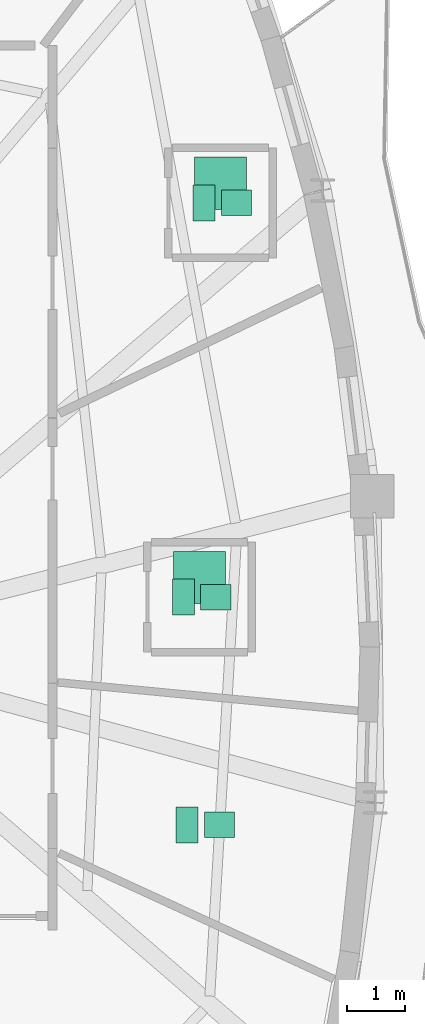
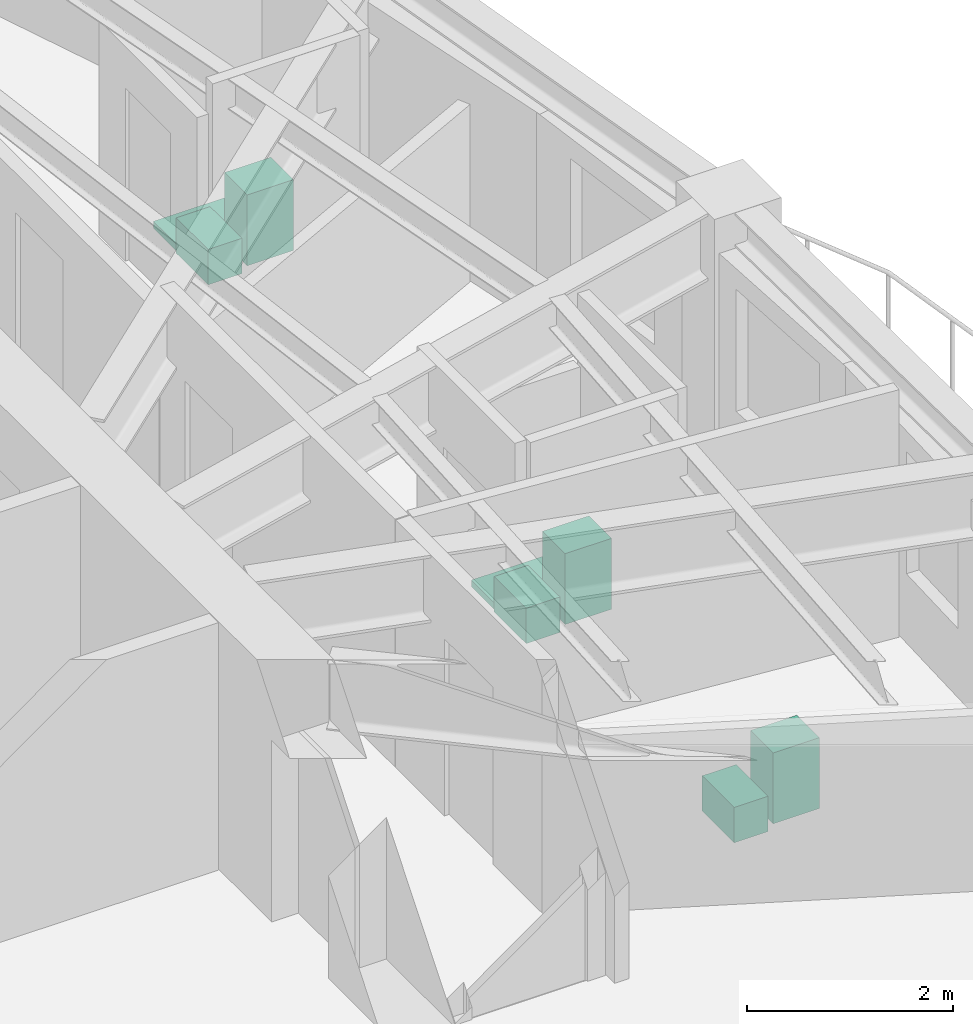
# One storey, part 12 of 12: 8 sanitary terminals.
"""IFC4 building model written with IfcOpenShell, lengths in metres."""

import ifcopenshell
import ifcopenshell.guid

model = None  # the IFC model being written
_history = None  # IfcOwnerHistory: only IFC2X3 demands one
_inside = {}  # id of a spatial element -> (the spatial element, [elements in it])
_under = {}  # id of a project, library or spatial element -> (it, [spatial elements below it])
_declared = {}  # id of a project -> (the project, [libraries it declares])
_typed = {}  # id of a type object -> (the type object, [elements of that type])
_made_of = {}  # id of a material, layer set ... -> (it, [elements and type objects made of it])


def new_model(schema):
    """Start an empty IFC model of exactly this schema.

    Asked for "IFC4X3", IfcOpenShell would pick the latest addendum, in which some entities
    have other attributes; the version numbers below select the first issue.
    IFC2X3 requires an IfcOwnerHistory on every rooted entity: one is made here for all.
    """
    global model, _history
    if schema == "IFC4X3":
        model = ifcopenshell.file(schema_version=(4, 3, 0, 0))
    else:
        model = ifcopenshell.file(schema=schema)
    _inside.clear()
    _under.clear()
    _declared.clear()
    _typed.clear()
    _made_of.clear()
    _history = None
    if model.schema == "IFC2X3":
        org = make("IfcOrganization", Name="unknown")
        user = make(
            "IfcPersonAndOrganization",
            ThePerson=make("IfcPerson", FamilyName="unknown"),
            TheOrganization=org,
        )
        app = make(
            "IfcApplication",
            ApplicationDeveloper=org,
            Version="unknown",
            ApplicationFullName="unknown",
            ApplicationIdentifier="unknown",
        )
        _history = make(
            "IfcOwnerHistory",
            OwningUser=user,
            OwningApplication=app,
            ChangeAction="ADDED",
            CreationDate=0,
        )
    return model


def make(cls, **values):
    """One entity of the class cls with the attributes given. An attribute that is None is left unset."""
    return model.create_entity(
        cls, **{name: value for name, value in values.items() if value is not None}
    )


def rooted(cls, **values):
    """An entity with a GlobalId (a new one), such as an element, a storey or a relation."""
    return make(cls, GlobalId=ifcopenshell.guid.new(), OwnerHistory=_history, **values)


def si_unit(unit_type, name, prefix=None):
    """IfcSIUnit, for example si_unit("LENGTHUNIT", "METRE", prefix="MILLI")."""
    return make("IfcSIUnit", UnitType=unit_type, Prefix=prefix, Name=name)


def assignment(units):
    """IfcUnitAssignment: the units of a project."""
    return None if units is None else make("IfcUnitAssignment", Units=units)


def point(xyz):
    """IfcCartesianPoint."""
    return None if xyz is None else make("IfcCartesianPoint", Coordinates=xyz)


def direction(xyz):
    """IfcDirection."""
    return None if xyz is None else make("IfcDirection", DirectionRatios=xyz)


def frame(location, z_axis=None, x_axis=None):
    """IfcAxis2Placement3D, a coordinate frame: its origin and axes. An axis left out is left unset."""
    return make(
        "IfcAxis2Placement3D",
        Location=point(location),
        Axis=direction(z_axis),
        RefDirection=direction(x_axis),
    )


def frame_2d(location, x_axis=None):
    """IfcAxis2Placement2D, a coordinate frame in the plane: its origin and x axis."""
    return make(
        "IfcAxis2Placement2D", Location=point(location), RefDirection=direction(x_axis)
    )


def origin():
    """The frame at (0, 0, 0) with its axes left unset."""
    return frame((0.0, 0.0, 0.0))


def origin_2d():
    """The frame at (0, 0) in the plane with its x axis left unset."""
    return frame_2d((0.0, 0.0))


def place(relative_to, where):
    """IfcLocalPlacement: puts the frame where relative to a parent placement (None: the world)."""
    return make(
        "IfcLocalPlacement", PlacementRelTo=relative_to, RelativePlacement=where
    )


def context(
    kind, dimensions, precision=None, world=None, true_north=None, identifier=None
):
    """IfcGeometricRepresentationContext, for example the 3D "Model" context."""
    return make(
        "IfcGeometricRepresentationContext",
        ContextIdentifier=identifier,
        ContextType=kind,
        CoordinateSpaceDimension=dimensions,
        Precision=precision,
        WorldCoordinateSystem=world,
        TrueNorth=true_north,
    )


def subcontext(parent, identifier, kind, view, scale=None):
    """IfcGeometricRepresentationSubContext, for example "Body" below "Model"."""
    return make(
        "IfcGeometricRepresentationSubContext",
        ContextIdentifier=identifier,
        ContextType=kind,
        ParentContext=parent,
        TargetScale=scale,
        TargetView=view,
    )


def project(units=None, contexts=None):
    """IfcProject with its units and contexts."""
    return rooted(
        "IfcProject",
        Name="project",
        RepresentationContexts=contexts,
        UnitsInContext=assignment(units),
    )


def spatial(cls, under=None, at=None, **own):
    """A site, building, storey or space (cls), placed at a placement, below another one or the project."""
    s = rooted(cls, ObjectPlacement=at, **own)
    if under is not None:
        _under.setdefault(under.id(), (under, []))[1].append(s)
    return s


def profile(cls, at=None, kind="AREA", **sizes):
    """A parametric profile (cls). Its sizes go by their IFC names, for example OverallWidth=200.0."""
    return make(cls, ProfileType=kind, Position=at, **sizes)


def rectangle(**sizes):
    """IfcRectangleProfileDef."""
    return profile("IfcRectangleProfileDef", **sizes)


def extrude(swept, where, along, depth):
    """IfcExtrudedAreaSolid: the profile swept, set in the frame where, extruded along a direction by depth."""
    return make(
        "IfcExtrudedAreaSolid",
        SweptArea=swept,
        Position=where,
        ExtrudedDirection=direction(along),
        Depth=depth,
    )


def shape(context_of_items, identifier, shape_type, items):
    """IfcShapeRepresentation: the items that make up one representation, for example the "Body"."""
    return make(
        "IfcShapeRepresentation",
        ContextOfItems=context_of_items,
        RepresentationIdentifier=identifier,
        RepresentationType=shape_type,
        Items=items,
    )


def source(mapping_origin, context_of_items, identifier, shape_type, items):
    """IfcRepresentationMap: a shape defined once, which mapped items show again and again."""
    return make(
        "IfcRepresentationMap",
        MappingOrigin=mapping_origin,
        MappedRepresentation=shape(context_of_items, identifier, shape_type, items),
    )


def transform(
    local_origin,
    x_axis=None,
    y_axis=None,
    z_axis=None,
    scale=None,
    scale2=None,
    scale3=None,
    uniform=True,
):
    """IfcCartesianTransformationOperator3D, or its non-uniform kind. x_axis, y_axis, z_axis: its Axis1, 2, 3."""
    if uniform:
        return make(
            "IfcCartesianTransformationOperator3D",
            Axis1=direction(x_axis),
            Axis2=direction(y_axis),
            LocalOrigin=point(local_origin),
            Scale=scale,
            Axis3=direction(z_axis),
        )
    return make(
        "IfcCartesianTransformationOperator3DnonUniform",
        Axis1=direction(x_axis),
        Axis2=direction(y_axis),
        LocalOrigin=point(local_origin),
        Scale=scale,
        Axis3=direction(z_axis),
        Scale2=scale2,
        Scale3=scale3,
    )


def mapped(mapping_source, mapping_target):
    """IfcMappedItem: shows the shape of a source again, moved by a transform."""
    return make(
        "IfcMappedItem", MappingSource=mapping_source, MappingTarget=mapping_target
    )


def material(Name=None, Category=None):
    """IfcMaterial."""
    return make("IfcMaterial", Name=Name, Category=Category)


def made_of(thing, what):
    """Note that an element or type object is made of a material, layer set ...; save() writes the relation."""
    if what is not None:
        _made_of.setdefault(what.id(), (what, []))[1].append(thing)
    return thing


def type_object(cls, material=None, **own):
    """A type object (cls), such as IfcWallType, which elements share."""
    return made_of(rooted(cls, **own), material)


def element(
    cls,
    number,
    at=None,
    inside=None,
    cuts=None,
    type_object=None,
    material=None,
    context=None,
    identifier="Body",
    shape_type=None,
    held_by="IfcProductDefinitionShape",
    body=None,
    shapes=None,
    **own,
):
    """One element of the class cls, such as IfcWall. Its Tag is "e" and its number.

    at: its placement. inside: the storey or other place that contains it. cuts: it is an
    opening in that element (IfcRelVoidsElement). A single representation is given by context,
    identifier, shape_type and body (its items); several are given by shapes. held_by: the class
    of the entity that holds the representations. save() writes the other relations.
    """
    e = rooted(cls, Tag="e%d" % number, ObjectPlacement=at, **own)
    if body is not None:
        shapes = [shape(context, identifier, shape_type, body)]
    if shapes is not None:
        e.Representation = make(held_by, Representations=shapes)
    if inside is not None:
        _inside.setdefault(inside.id(), (inside, []))[1].append(e)
    if cuts is not None:
        rooted(
            "IfcRelVoidsElement", RelatingBuildingElement=cuts, RelatedOpeningElement=e
        )
    if type_object is not None:
        _typed.setdefault(type_object.id(), (type_object, []))[1].append(e)
    return made_of(e, material)


def aggregate(whole, parts):
    """IfcRelAggregates: a whole, such as a stair, and the parts it consists of."""
    return rooted("IfcRelAggregates", RelatingObject=whole, RelatedObjects=parts)


def save(model, path):
    """Write the relations noted so far, then the file.

    IfcRelAggregates (storeys below a building ...), IfcRelContainedInSpatialStructure (elements
    in a storey), IfcRelDefinesByType, IfcRelAssociatesMaterial and IfcRelDeclares: one each for
    every whole, place, type object, material and project.
    """
    for whole, parts in _under.values():
        aggregate(whole, parts)
    for where, things in _inside.values():
        rooted(
            "IfcRelContainedInSpatialStructure",
            RelatedElements=things,
            RelatingStructure=where,
        )
    for kind, things in _typed.values():
        rooted("IfcRelDefinesByType", RelatedObjects=things, RelatingType=kind)
    for what, things in _made_of.values():
        rooted("IfcRelAssociatesMaterial", RelatedObjects=things, RelatingMaterial=what)
    for by, libraries in _declared.values():
        rooted("IfcRelDeclares", RelatingContext=by, RelatedDefinitions=libraries)
    model.write(path)


model = new_model("IFC4")

# Units and contexts
model_context = context("Model", 3, precision=1e-05, world=origin(), true_north=direction((0.0, 1.0)))
body_context = subcontext(model_context, "Body", "Model", "MODEL_VIEW")
ifc_project = project(units=[si_unit("LENGTHUNIT", "METRE"), si_unit("AREAUNIT", "SQUARE_METRE"), si_unit("VOLUMEUNIT", "CUBIC_METRE"), si_unit("PLANEANGLEUNIT", "RADIAN"), si_unit("MASSUNIT", "GRAM", prefix="KILO")], contexts=[model_context])

# Site, building, storey
site_placement = place(None, origin())
site = spatial("IfcSite", under=ifc_project, at=site_placement, CompositionType="ELEMENT")
building_placement = place(site_placement, origin())
building = spatial("IfcBuilding", under=site, at=building_placement, Name="Qafzar Sky-Pleat Residences", CompositionType="ELEMENT")
storey_placement = place(building_placement, frame((0.0, 0.0, 149.0)))
storey = spatial("IfcBuildingStorey", under=building, at=storey_placement, Name="L44", CompositionType="ELEMENT", Elevation=149.0)

# Sanitary terminals
ifc_material_1 = material(Name="Vitreous china sanitaryware")
sanitary_terminal_type_1 = type_object("IfcSanitaryTerminalType", Name="SAN-WC-PAN", PredefinedType="TOILETPAN", material=ifc_material_1)
shared_shape_1 = source(origin(), body_context, "Body", "SweptSolid", [
    extrude(rectangle(XDim=0.3798828125, YDim=0.6201171875, at=origin_2d()), origin(), (0.0, 0.0, 1.0), 0.419921875),
])
for number, where, z_axis, x_axis, name in (
    (1, (40.650634765625, 22.774169921875, 0.0), (0.0, 0.0, 1.0), (1.0, 0.0, 0.0), "L44 Accessible Shared Washroom WC Pan"),
    (2, (40.587890625, 26.70703125, 0.0), (0.0, 0.0, 1.0), (1.0, 0.0, 0.0), "L44 En-suite Bathroom 1 WC Pan"),
    (3, (40.949951171875, 33.513916015625, 0.0), (0.0, 0.0, 1.0), (1.0, 0.0, 0.0), "L44 En-suite Bathroom 2 WC Pan"),
):
    element("IfcSanitaryTerminal", number, at=place(storey_placement, frame(where, z_axis=z_axis, x_axis=x_axis)), inside=storey, type_object=sanitary_terminal_type_1, Name=name, PredefinedType="TOILETPAN", context=body_context, shape_type="MappedRepresentation", body=[
        mapped(shared_shape_1, transform((0.0, 0.0, 0.0), x_axis=(1.0, 0.0, 0.0), y_axis=(0.0, 1.0, 0.0), z_axis=(0.0, 0.0, 1.0), scale=1.0)),
    ])
sanitary_terminal_type_2 = type_object("IfcSanitaryTerminalType", Name="SAN-BASIN", PredefinedType="WASHHANDBASIN", material=ifc_material_1)
shared_shape_2 = source(origin(), body_context, "Body", "SweptSolid", [
    extrude(rectangle(XDim=0.52001953125, YDim=0.43994140625, at=origin_2d()), origin(), (0.0, 0.0, 1.0), 0.840087890625),
])
for number, where, z_axis, x_axis, name in (
    (4, (41.210693359375, 22.774169921875, 0.0), (0.0, 0.0, 1.0), (1.0, 0.0, 0.0), "L44 Accessible Shared Washroom Pedestal Washbasin"),
    (5, (41.14794921875, 26.70703125, 0.0), (0.0, 0.0, 1.0), (1.0, 0.0, 0.0), "L44 En-suite Bathroom 1 Pedestal Washbasin"),
    (6, (41.510009765625, 33.513916015625, 0.0), (0.0, 0.0, 1.0), (1.0, 0.0, 0.0), "L44 En-suite Bathroom 2 Pedestal Washbasin"),
):
    element("IfcSanitaryTerminal", number, at=place(storey_placement, frame(where, z_axis=z_axis, x_axis=x_axis)), inside=storey, type_object=sanitary_terminal_type_2, Name=name, PredefinedType="WASHHANDBASIN", context=body_context, shape_type="MappedRepresentation", body=[
        mapped(shared_shape_2, transform((0.0, 0.0, 0.0), x_axis=(1.0, 0.0, 0.0), y_axis=(0.0, 1.0, 0.0), z_axis=(0.0, 0.0, 1.0), scale=1.0)),
    ])
ifc_material_2 = material(Name="Vitreous china and acrylic tray")
sanitary_terminal_type_3 = type_object("IfcSanitaryTerminalType", Name="SAN-SHOWER", PredefinedType="SHOWER", material=ifc_material_2)
shared_shape_3 = source(origin(), body_context, "Body", "SweptSolid", [
    extrude(rectangle(XDim=0.89990234375, YDim=0.89990234375, at=origin_2d()), origin(), (0.0, 0.0, 1.0), 0.080078125),
])
for number, where, z_axis, x_axis, name in (
    (7, (40.867919921875, 27.047119140625, 0.0), (0.0, 0.0, 1.0), (1.0, 0.0, 0.0), "L44 En-suite Bathroom 1 Walk-In Shower"),
    (8, (41.22998046875, 33.85400390625, 0.0), (0.0, 0.0, 1.0), (1.0, 0.0, 0.0), "L44 En-suite Bathroom 2 Walk-In Shower"),
):
    element("IfcSanitaryTerminal", number, at=place(storey_placement, frame(where, z_axis=z_axis, x_axis=x_axis)), inside=storey, type_object=sanitary_terminal_type_3, Name=name, PredefinedType="SHOWER", context=body_context, shape_type="MappedRepresentation", body=[
        mapped(shared_shape_3, transform((0.0, 0.0, 0.0), x_axis=(1.0, 0.0, 0.0), y_axis=(0.0, 1.0, 0.0), z_axis=(0.0, 0.0, 1.0), scale=1.0)),
    ])

save(model, "model.ifc")
